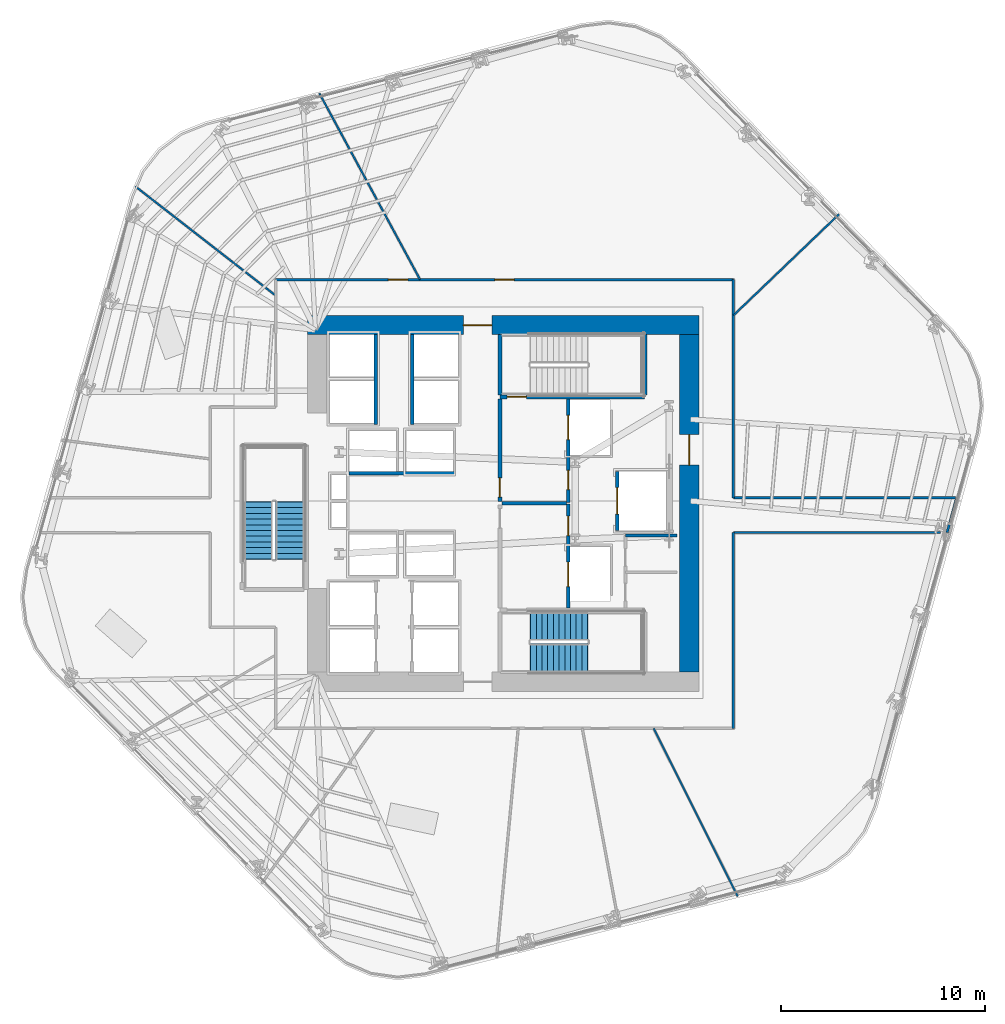
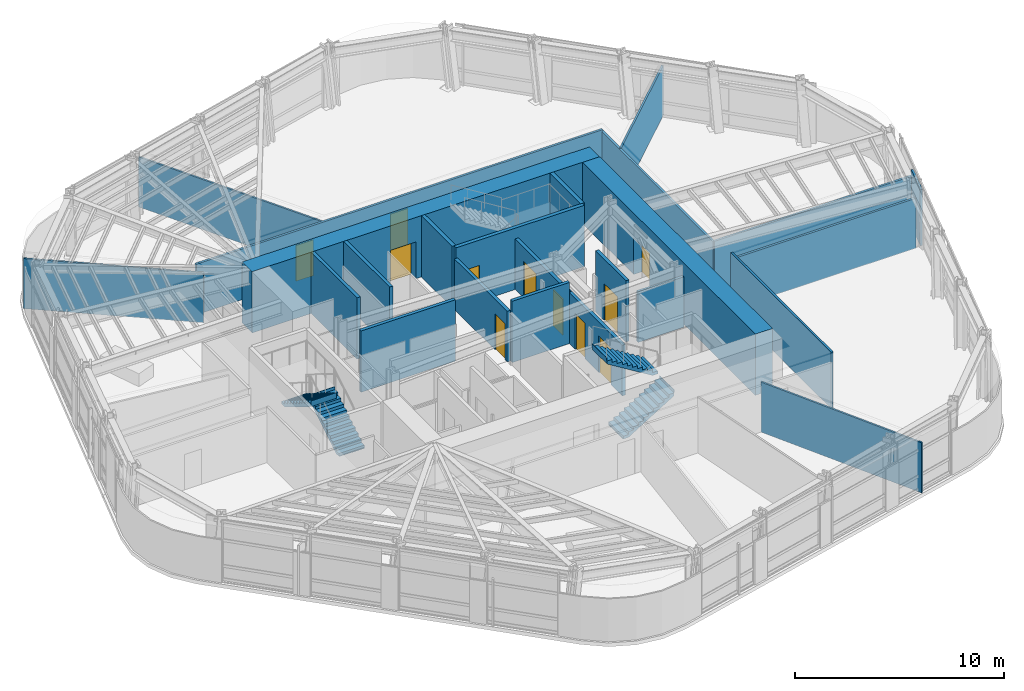
# One storey, part 10 of 17: 24 walls, 11 doors, 4 stair flights, 11 openings, 2 elements without a shape of their own.
"""IFC4 building model written with IfcOpenShell, lengths in metres."""

from ifc_helpers import new_model, si_unit, direction, frame, frame_2d, origin, place, context, subcontext, project, spatial, polyline, rectangle, outline, extrude, material, layer, layer_set, type_object, element, fill, aggregate, save


model = new_model("IFC4")

# Units and contexts
model_context = context("Model", 3, precision=1e-05, world=origin(), true_north=direction((0.0, 1.0)))
body_context = subcontext(model_context, "Body", "Model", "MODEL_VIEW")
ifc_project = project(units=[si_unit("LENGTHUNIT", "METRE"), si_unit("AREAUNIT", "SQUARE_METRE"), si_unit("VOLUMEUNIT", "CUBIC_METRE"), si_unit("PLANEANGLEUNIT", "RADIAN"), si_unit("MASSUNIT", "GRAM", prefix="KILO")], contexts=[model_context])

# Site, building, storey
site_placement = place(None, origin())
site = spatial("IfcSite", under=ifc_project, at=site_placement, CompositionType="ELEMENT")
building_placement = place(site_placement, origin())
building = spatial("IfcBuilding", under=site, at=building_placement, Name="Valkerne Bourse Tower", CompositionType="ELEMENT")
storey_placement = place(building_placement, frame((0.0, 0.0, 85.800048828125)))
storey = spatial("IfcBuildingStorey", under=building, at=storey_placement, Name="L21", CompositionType="ELEMENT", Elevation=85.800048828125)

# Wall, opening, door
ifc_material_1 = material(Name="Concrete C70/85", Category="concrete")
ifc_layer_1 = layer(ifc_material_1, 0.949951171875)
ifc_layer_set_1 = layer_set([ifc_layer_1], Name="Concrete C70/85")
wall_type_1 = type_object("IfcWallType", Name="W-CORE-950", PredefinedType="SHEAR", material=ifc_layer_set_1)
wall_1_placement = place(storey_placement, frame((37.199951171875, 35.625, 0.0), z_axis=(0.0, 0.0, 1.0), x_axis=(1.0, 0.0, 0.0)))
wall_1 = element("IfcWall", 1, at=wall_1_placement, inside=storey, type_object=wall_type_1, Name="L21 Core Shear Wall NORTH", PredefinedType="SHEAR", context=body_context, shape_type="SweptSolid", body=[
    extrude(rectangle(XDim=19.199951171875, YDim=0.949951171875, at=frame_2d((9.60009765625, 0.0))), origin(), (0.0, 0.0, 1.0), 3.579833984375),
])
opening_1_placement = place(wall_1_placement, frame((7.64990234375, 0.0, 0.0)))
opening_1 = element("IfcOpeningElement", 2, at=opening_1_placement, cuts=wall_1, Name="Opening D-PL-1400", PredefinedType="OPENING", context=body_context, shape_type="SweptSolid", body=[
    extrude(rectangle(XDim=1.39990234375, YDim=2.14990234375, at=frame_2d((0.699951171875, 1.074951171875))), frame((0.0, 0.48486328125, 0.0), z_axis=(0.0, -1.0, 0.0), x_axis=(1.0, 0.0, 0.0)), (0.0, 0.0, 1.0), 0.969970703125),
])
ifc_material_2 = material(Name="Galvanised Painted Steel", Category="steel")
door_type_1 = type_object("IfcDoorType", Name="DR-PLT-1400", OperationType="DOUBLE_DOOR_SINGLE_SWING", PredefinedType="DOOR", material=ifc_material_2)
door_1_placement = place(opening_1_placement, origin())
door_1 = element("IfcDoor", 3, at=door_1_placement, inside=storey, type_object=door_type_1, Name="L21 North Passenger Lift Hall Fire Door", OperationType="DOUBLE_DOOR_SINGLE_SWING", OverallHeight=2.14990234375, OverallWidth=1.39990234375, PredefinedType="DOOR", context=body_context, shape_type="SweptSolid", body=[
    extrude(rectangle(XDim=1.39990234375, YDim=2.14990234375, at=frame_2d((0.699951171875, 1.074951171875))), frame((0.0, 0.02490234375, 0.0), z_axis=(0.0, -1.0, 0.0), x_axis=(1.0, 0.0, 0.0)), (0.0, 0.0, 1.0), 0.050048828125),
])
fill(opening_1, door_1)

wall_2_placement = place(storey_placement, frame((55.925048828125, 18.60009765625, 0.0), z_axis=(0.0, 0.0, 1.0), x_axis=(0.0, 1.0, 0.0)))
wall_2 = element("IfcWall", 4, at=wall_2_placement, inside=storey, type_object=wall_type_1, Name="L21 Core Shear Wall EAST", PredefinedType="SHEAR", context=body_context, shape_type="SweptSolid", body=[
    extrude(rectangle(XDim=16.5498046875, YDim=0.949951171875, at=frame_2d((8.27490234375, 0.0))), origin(), (0.0, 0.0, 1.0), 3.579833984375),
])
opening_2_placement = place(wall_2_placement, frame((10.14990234375, 0.0, 0.0)))
opening_2 = element("IfcOpeningElement", 5, at=opening_2_placement, cuts=wall_2, Name="Opening D-CR-1500", PredefinedType="OPENING", context=body_context, shape_type="SweptSolid", body=[
    extrude(rectangle(XDim=1.5, YDim=2.14990234375, at=frame_2d((0.75, 1.074951171875))), frame((0.0, 0.48486328125, 0.0), z_axis=(0.0, -1.0, 0.0), x_axis=(1.0, 0.0, 0.0)), (0.0, 0.0, 1.0), 0.969970703125),
])
door_type_2 = type_object("IfcDoorType", Name="DR-CORR-1500", OperationType="DOUBLE_DOOR_SINGLE_SWING", PredefinedType="DOOR", material=ifc_material_2)
door_2_placement = place(opening_2_placement, origin())
door_2 = element("IfcDoor", 6, at=door_2_placement, inside=storey, type_object=door_type_2, Name="L21 East Core Service Lobby Fire Door", OperationType="DOUBLE_DOOR_SINGLE_SWING", OverallHeight=2.14990234375, OverallWidth=1.5, PredefinedType="DOOR", context=body_context, shape_type="SweptSolid", body=[
    extrude(rectangle(XDim=1.5, YDim=2.14990234375, at=frame_2d((0.75, 1.074951171875))), frame((0.0, 0.02490234375, 0.0), z_axis=(0.0, -1.0, 0.0), x_axis=(1.0, 0.0, 0.0)), (0.0, 0.0, 1.0), 0.050048828125),
])
fill(opening_2, door_2)

# Walls
ifc_material_3 = material(Name="Gypsum Board Steel-Stud Partition", Category="steel")
ifc_layer_2 = layer(ifc_material_3, 0.117919921875)
ifc_layer_set_2 = layer_set([ifc_layer_2], Name="Gypsum Board Steel-Stud Partition")
wall_type_2 = type_object("IfcWallType", Name="W-CORR-140", PredefinedType="PARTITIONING", material=ifc_layer_set_2)
wall_3_placement = place(storey_placement, frame((58.10009765625, 27.14990234375, 0.0), z_axis=(0.0, 0.0, 1.0), x_axis=(1.0, 0.0, 0.0)))
element("IfcWall", 7, at=wall_3_placement, inside=storey, type_object=wall_type_2, Name="L21 Corridor Enclosure Wall", PredefinedType="PARTITIONING", context=body_context, shape_type="SweptSolid", body=[
    extrude(rectangle(XDim=10.899658203125, YDim=0.117919921875, at=frame_2d((5.44970703125, 0.0))), origin(), (0.0, 0.0, 1.0), 2.92236328125),
])
wall_4_placement = place(storey_placement, frame((69.03271484375, 27.106689453125, 0.0), z_axis=(0.0, 0.0, 1.0), x_axis=(-0.264740301643, -0.964319746083, 0.0)))
element("IfcWall", 8, at=wall_4_placement, inside=storey, type_object=wall_type_2, Name="L21 Corridor Enclosure Wall", PredefinedType="PARTITIONING", context=body_context, shape_type="SweptSolid", body=[
    extrude(rectangle(XDim=1.718017578125, YDim=0.117919921875, at=frame_2d((0.85888671875, 0.0))), origin(), (0.0, 0.0, 1.0), 3.280029296875),
])
wall_5_placement = place(storey_placement, frame((68.257080078125, 25.449951171875, 0.0), z_axis=(0.0, 0.0, 1.0), x_axis=(-1.0, 0.0, 0.0)))
element("IfcWall", 9, at=wall_5_placement, inside=storey, type_object=wall_type_2, Name="L21 Corridor Enclosure Wall", PredefinedType="PARTITIONING", context=body_context, shape_type="SweptSolid", body=[
    extrude(rectangle(XDim=10.156982421875, YDim=0.117919921875, at=frame_2d((5.07861328125, 0.0))), origin(), (0.0, 0.0, 1.0), 2.92236328125),
])
wall_6_placement = place(storey_placement, frame((58.10009765625, 25.449951171875, 0.0), z_axis=(0.0, 0.0, 1.0), x_axis=(0.0, -1.0, 0.0)))
element("IfcWall", 10, at=wall_6_placement, inside=storey, type_object=wall_type_2, Name="L21 Corridor Enclosure Wall", PredefinedType="PARTITIONING", context=body_context, shape_type="SweptSolid", body=[
    extrude(rectangle(XDim=9.599853515625, YDim=0.117919921875, at=frame_2d((4.7998046875, 0.0))), origin(), (0.0, 0.0, 1.0), 3.280029296875),
])

# Wall, openings, doors
wall_7_placement = place(storey_placement, frame((35.64990234375, 37.85009765625, 0.0), z_axis=(0.0, 0.0, 1.0), x_axis=(1.0, 0.0, 0.0)))
wall_7 = element("IfcWall", 11, at=wall_7_placement, inside=storey, type_object=wall_type_2, Name="L21 Corridor Enclosure Wall", PredefinedType="PARTITIONING", context=body_context, shape_type="SweptSolid", body=[
    extrude(rectangle(XDim=22.4501953125, YDim=0.117919921875, at=frame_2d((11.22509765625, 0.0))), origin(), (0.0, 0.0, 1.0), 2.962890625),
])
opening_3_placement = place(wall_7_placement, frame((5.530029296875, 0.0, 0.0)))
opening_3 = element("IfcOpeningElement", 12, at=opening_3_placement, cuts=wall_7, Name="Opening D-OF-950", PredefinedType="OPENING", context=body_context, shape_type="SweptSolid", body=[
    extrude(rectangle(XDim=0.949951171875, YDim=2.10009765625, at=frame_2d((0.47509765625, 1.050048828125))), frame((0.0, 0.06884765625, 0.0), z_axis=(0.0, -1.0, 0.0), x_axis=(1.0, 0.0, 0.0)), (0.0, 0.0, 1.0), 0.137939453125),
])
opening_4_placement = place(wall_7_placement, frame((10.75, 0.0, 0.0)))
opening_4 = element("IfcOpeningElement", 13, at=opening_4_placement, cuts=wall_7, Name="Opening D-OF-950", PredefinedType="OPENING", context=body_context, shape_type="SweptSolid", body=[
    extrude(rectangle(XDim=0.949951171875, YDim=2.10009765625, at=frame_2d((0.47509765625, 1.050048828125))), frame((0.0, 0.06884765625, 0.0), z_axis=(0.0, -1.0, 0.0), x_axis=(1.0, 0.0, 0.0)), (0.0, 0.0, 1.0), 0.137939453125),
])
ifc_material_4 = material(Name="Architectural White Oak Timber", Category="wood")
door_type_3 = type_object("IfcDoorType", Name="DR-OFF-950", OperationType="NOTDEFINED", PredefinedType="DOOR", material=ifc_material_4)
door_3_placement = place(opening_3_placement, origin())
door_3 = element("IfcDoor", 14, at=door_3_placement, inside=storey, type_object=door_type_3, Name="L21 L21 Hospitality Catering Kitchen 4 Door", OperationType="SINGLE_SWING_LEFT", OverallHeight=2.10009765625, OverallWidth=0.949951171875, PredefinedType="DOOR", context=body_context, shape_type="SweptSolid", body=[
    extrude(rectangle(XDim=0.949951171875, YDim=2.10009765625, at=frame_2d((0.47509765625, 1.050048828125))), frame((0.0, 0.02490234375, 0.0), z_axis=(0.0, -1.0, 0.0), x_axis=(1.0, 0.0, 0.0)), (0.0, 0.0, 1.0), 0.050048828125),
])
fill(opening_3, door_3)
door_4_placement = place(opening_4_placement, origin())
door_4 = element("IfcDoor", 15, at=door_4_placement, inside=storey, type_object=door_type_3, Name="L21 L21 Occupational Wellness Clinic 8 Door", OperationType="SINGLE_SWING_LEFT", OverallHeight=2.10009765625, OverallWidth=0.949951171875, PredefinedType="DOOR", context=body_context, shape_type="SweptSolid", body=[
    extrude(rectangle(XDim=0.949951171875, YDim=2.10009765625, at=frame_2d((0.47509765625, 1.050048828125))), frame((0.0, 0.02490234375, 0.0), z_axis=(0.0, -1.0, 0.0), x_axis=(1.0, 0.0, 0.0)), (0.0, 0.0, 1.0), 0.050048828125),
])
fill(opening_4, door_4)

# Walls
wall_8_placement = place(storey_placement, frame((58.10009765625, 37.85009765625, 0.0), z_axis=(0.0, 0.0, 1.0), x_axis=(0.0, -1.0, 0.0)))
element("IfcWall", 16, at=wall_8_placement, inside=storey, type_object=wall_type_2, Name="L21 Corridor Enclosure Wall", PredefinedType="PARTITIONING", context=body_context, shape_type="SweptSolid", body=[
    extrude(rectangle(XDim=10.7001953125, YDim=0.117919921875, at=frame_2d((5.35009765625, 0.0))), origin(), (0.0, 0.0, 1.0), 2.87646484375),
])
ifc_material_5 = material(Name="Gypsum Fire-Rated Shaftwall", Category="gypsum")
ifc_layer_3 = layer(ifc_material_5, 0.179931640625)
ifc_layer_set_3 = layer_set([ifc_layer_3], Name="Gypsum Fire-Rated Shaftwall")
wall_type_3 = type_object("IfcWallType", Name="W-FSAE-180", PredefinedType="PARTITIONING", material=ifc_layer_set_3)
wall_9_placement = place(storey_placement, frame((46.739990234375, 26.8798828125, 0.0), z_axis=(0.0, 0.0, 1.0), x_axis=(1.0, 0.0, 0.0)))
element("IfcWall", 17, at=wall_9_placement, inside=storey, type_object=wall_type_3, Name="L21 FSAE-1/2 Lobby Dividing Fire Wall", PredefinedType="PARTITIONING", context=body_context, shape_type="SweptSolid", body=[
    extrude(rectangle(XDim=3.169921875, YDim=0.179931640625, at=frame_2d((1.5849609375, 0.0))), origin(), (0.0, 0.0, 1.0), 3.579833984375),
])

# Wall, opening, door
wall_10_placement = place(storey_placement, frame((46.64990234375, 26.9599609375, 0.0), z_axis=(0.0, 0.0, 1.0), x_axis=(0.0, 1.0, 0.0)))
wall_10 = element("IfcWall", 18, at=wall_10_placement, inside=storey, type_object=wall_type_3, Name="L21 FSAE-2 Lobby West Fire Wall", PredefinedType="PARTITIONING", context=body_context, shape_type="SweptSolid", body=[
    extrude(rectangle(XDim=5.0400390625, YDim=0.179931640625, at=frame_2d((2.52001953125, 0.0))), origin(), (0.0, 0.0, 1.0), 2.957763671875),
])
opening_5_placement = place(wall_10_placement, frame((0.219970703125, 0.0, 0.0)))
opening_5 = element("IfcOpeningElement", 19, at=opening_5_placement, cuts=wall_10, Name="Opening D-FS-950", PredefinedType="OPENING", context=body_context, shape_type="SweptSolid", body=[
    extrude(rectangle(XDim=0.949951171875, YDim=2.10009765625, at=frame_2d((0.47509765625, 1.050048828125))), frame((0.0, 0.099853515625, 0.0), z_axis=(0.0, -1.0, 0.0), x_axis=(1.0, 0.0, 0.0)), (0.0, 0.0, 1.0), 0.199951171875),
])
door_type_4 = type_object("IfcDoorType", Name="DR-FSAE-950", OperationType="NOTDEFINED", PredefinedType="DOOR", material=ifc_material_2)
door_5_placement = place(opening_5_placement, origin())
door_5 = element("IfcDoor", 20, at=door_5_placement, inside=storey, type_object=door_type_4, Name="L21 FSAE-2 Hall Link Fire Door", OperationType="SINGLE_SWING_RIGHT", OverallHeight=2.10009765625, OverallWidth=0.949951171875, PredefinedType="DOOR", context=body_context, shape_type="SweptSolid", body=[
    extrude(rectangle(XDim=0.949951171875, YDim=2.10009765625, at=frame_2d((0.47509765625, 1.050048828125))), frame((0.0, 0.02490234375, 0.0), z_axis=(0.0, -1.0, 0.0), x_axis=(1.0, 0.0, 0.0)), (0.0, 0.0, 1.0), 0.050048828125),
])
fill(opening_5, door_5)

# Wall, openings, doors
wall_11_placement = place(storey_placement, frame((50.0, 21.75, 0.0), z_axis=(0.0, 0.0, 1.0), x_axis=(0.0, 1.0, 0.0)))
wall_11 = element("IfcWall", 21, at=wall_11_placement, inside=storey, type_object=wall_type_3, Name="L21 FSAE-1 Lobby & Shaft Front Wall", PredefinedType="PARTITIONING", context=body_context, shape_type="SweptSolid", body=[
    extrude(rectangle(XDim=5.090087890625, YDim=0.179931640625, at=frame_2d((2.544921875, 0.0))), origin(), (0.0, 0.0, 1.0), 2.957763671875),
])
opening_6_placement = place(wall_11_placement, frame((1.050048828125, 0.0, 0.0)))
opening_6 = element("IfcOpeningElement", 22, at=opening_6_placement, cuts=wall_11, Name="Opening LD-1200", PredefinedType="OPENING", context=body_context, shape_type="SweptSolid", body=[
    extrude(rectangle(XDim=1.199951171875, YDim=2.14990234375, at=frame_2d((0.60009765625, 1.074951171875))), frame((0.0, 0.099853515625, 0.0), z_axis=(0.0, -1.0, 0.0), x_axis=(1.0, 0.0, 0.0)), (0.0, 0.0, 1.0), 0.199951171875),
])
opening_7_placement = place(wall_11_placement, frame((3.550048828125, 0.0, 0.0)))
opening_7 = element("IfcOpeningElement", 23, at=opening_7_placement, cuts=wall_11, Name="Opening D-FS-950", PredefinedType="OPENING", context=body_context, shape_type="SweptSolid", body=[
    extrude(rectangle(XDim=0.949951171875, YDim=2.10009765625, at=frame_2d((0.47509765625, 1.050048828125))), frame((0.0, 0.099853515625, 0.0), z_axis=(0.0, -1.0, 0.0), x_axis=(1.0, 0.0, 0.0)), (0.0, 0.0, 1.0), 0.199951171875),
])
door_6_placement = place(opening_7_placement, origin())
door_6 = element("IfcDoor", 24, at=door_6_placement, inside=storey, type_object=door_type_4, Name="L21 FSAE-1 Lobby Corridor Fire Door", OperationType="SINGLE_SWING_RIGHT", OverallHeight=2.10009765625, OverallWidth=0.949951171875, PredefinedType="DOOR", context=body_context, shape_type="SweptSolid", body=[
    extrude(rectangle(XDim=0.949951171875, YDim=2.10009765625, at=frame_2d((0.47509765625, 1.050048828125))), frame((0.0, 0.02490234375, 0.0), z_axis=(0.0, -1.0, 0.0), x_axis=(1.0, 0.0, 0.0)), (0.0, 0.0, 1.0), 0.050048828125),
])
fill(opening_7, door_6)
ifc_material_6 = material(Name="Stainless Steel AISI 316", Category="steel")
door_type_5 = type_object("IfcDoorType", Name="DR-LIFT-1200", OperationType="DOUBLE_DOOR_SLIDING", PredefinedType="DOOR", material=ifc_material_6)
door_7_placement = place(opening_6_placement, origin())
door_7 = element("IfcDoor", 25, at=door_7_placement, inside=storey, type_object=door_type_5, Name="L21 FSAE-1 Firefighting Lift Landing Door", OperationType="DOUBLE_DOOR_SLIDING", OverallHeight=2.14990234375, OverallWidth=1.199951171875, PredefinedType="DOOR", context=body_context, shape_type="SweptSolid", body=[
    extrude(rectangle(XDim=1.199951171875, YDim=2.14990234375, at=frame_2d((0.60009765625, 1.074951171875))), frame((0.0, 0.02490234375, 0.0), z_axis=(0.0, -1.0, 0.0), x_axis=(1.0, 0.0, 0.0)), (0.0, 0.0, 1.0), 0.050048828125),
])
fill(opening_6, door_7)

wall_12_placement = place(storey_placement, frame((50.0, 26.919921875, 0.0), z_axis=(0.0, 0.0, 1.0), x_axis=(0.0, 1.0, 0.0)))
wall_12 = element("IfcWall", 26, at=wall_12_placement, inside=storey, type_object=wall_type_3, Name="L21 FSAE-2 Lobby & Shaft Front Wall", PredefinedType="PARTITIONING", context=body_context, shape_type="SweptSolid", body=[
    extrude(rectangle(XDim=5.080078125, YDim=0.179931640625, at=frame_2d((2.5400390625, 0.0))), origin(), (0.0, 0.0, 1.0), 2.957763671875),
])
opening_8_placement = place(wall_12_placement, frame((3.080078125, 0.0, 0.0)))
opening_8 = element("IfcOpeningElement", 27, at=opening_8_placement, cuts=wall_12, Name="Opening LD-1200", PredefinedType="OPENING", context=body_context, shape_type="SweptSolid", body=[
    extrude(rectangle(XDim=1.199951171875, YDim=2.14990234375, at=frame_2d((0.60009765625, 1.074951171875))), frame((0.0, 0.099853515625, 0.0), z_axis=(0.0, -1.0, 0.0), x_axis=(1.0, 0.0, 0.0)), (0.0, 0.0, 1.0), 0.199951171875),
])
opening_9_placement = place(wall_12_placement, frame((0.6298828125, 0.0, 0.0)))
opening_9 = element("IfcOpeningElement", 28, at=opening_9_placement, cuts=wall_12, Name="Opening D-FS-950", PredefinedType="OPENING", context=body_context, shape_type="SweptSolid", body=[
    extrude(rectangle(XDim=0.949951171875, YDim=2.10009765625, at=frame_2d((0.47509765625, 1.050048828125))), frame((0.0, 0.099853515625, 0.0), z_axis=(0.0, -1.0, 0.0), x_axis=(1.0, 0.0, 0.0)), (0.0, 0.0, 1.0), 0.199951171875),
])
door_8_placement = place(opening_9_placement, origin())
door_8 = element("IfcDoor", 29, at=door_8_placement, inside=storey, type_object=door_type_4, Name="L21 FSAE-2 Lobby Corridor Fire Door", OperationType="SINGLE_SWING_RIGHT", OverallHeight=2.10009765625, OverallWidth=0.949951171875, PredefinedType="DOOR", context=body_context, shape_type="SweptSolid", body=[
    extrude(rectangle(XDim=0.949951171875, YDim=2.10009765625, at=frame_2d((0.47509765625, 1.050048828125))), frame((0.0, 0.02490234375, 0.0), z_axis=(0.0, -1.0, 0.0), x_axis=(1.0, 0.0, 0.0)), (0.0, 0.0, 1.0), 0.050048828125),
])
fill(opening_9, door_8)
door_9_placement = place(opening_8_placement, origin())
door_9 = element("IfcDoor", 30, at=door_9_placement, inside=storey, type_object=door_type_5, Name="L21 FSAE-2 Firefighting Lift Landing Door", OperationType="DOUBLE_DOOR_SLIDING", OverallHeight=2.14990234375, OverallWidth=1.199951171875, PredefinedType="DOOR", context=body_context, shape_type="SweptSolid", body=[
    extrude(rectangle(XDim=1.199951171875, YDim=2.14990234375, at=frame_2d((0.60009765625, 1.074951171875))), frame((0.0, 0.02490234375, 0.0), z_axis=(0.0, -1.0, 0.0), x_axis=(1.0, 0.0, 0.0)), (0.0, 0.0, 1.0), 0.050048828125),
])
fill(opening_8, door_9)

# Wall, opening, door
ifc_material_7 = material(Name="CMU Blockwork Masonry 200mm", Category="masonry")
ifc_layer_4 = layer(ifc_material_7, 0.179931640625)
ifc_layer_set_4 = layer_set([ifc_layer_4], Name="CMU Blockwork Masonry 200mm")
wall_type_4 = type_object("IfcWallType", Name="W-LFT-180", PredefinedType="SOLIDWALL", material=ifc_layer_set_4)
wall_13_placement = place(storey_placement, frame((52.39990234375, 25.550048828125, 0.0), z_axis=(0.0, 0.0, 1.0), x_axis=(0.0, 1.0, 0.0)))
wall_13 = element("IfcWall", 31, at=wall_13_placement, inside=storey, type_object=wall_type_4, Name="L21 Service Lift SV-1 Front Wall", PredefinedType="SOLIDWALL", context=body_context, shape_type="SweptSolid", body=[
    extrude(rectangle(XDim=2.89990234375, YDim=0.179931640625, at=frame_2d((1.449951171875, 0.0))), origin(), (0.0, 0.0, 1.0), 3.579833984375),
])
opening_10_placement = place(wall_13_placement, frame((0.800048828125, 0.0, 0.0)))
opening_10 = element("IfcOpeningElement", 32, at=opening_10_placement, cuts=wall_13, Name="Opening LD-1300", PredefinedType="OPENING", context=body_context, shape_type="SweptSolid", body=[
    extrude(rectangle(XDim=1.300048828125, YDim=2.14990234375, at=frame_2d((0.64990234375, 1.074951171875))), frame((0.0, 0.099853515625, 0.0), z_axis=(0.0, -1.0, 0.0), x_axis=(1.0, 0.0, 0.0)), (0.0, 0.0, 1.0), 0.199951171875),
])
door_type_6 = type_object("IfcDoorType", Name="DR-LIFT-1300", OperationType="DOUBLE_DOOR_SLIDING", PredefinedType="DOOR", material=ifc_material_6)
door_10_placement = place(opening_10_placement, origin())
door_10 = element("IfcDoor", 33, at=door_10_placement, inside=storey, type_object=door_type_6, Name="L21 Service Lift SV-1 Landing Door", OperationType="DOUBLE_DOOR_SLIDING", OverallHeight=2.14990234375, OverallWidth=1.300048828125, PredefinedType="DOOR", context=body_context, shape_type="SweptSolid", body=[
    extrude(rectangle(XDim=1.300048828125, YDim=2.14990234375, at=frame_2d((0.64990234375, 1.074951171875))), frame((0.0, 0.02490234375, 0.0), z_axis=(0.0, -1.0, 0.0), x_axis=(1.0, 0.0, 0.0)), (0.0, 0.0, 1.0), 0.050048828125),
])
fill(opening_10, door_10)

# Walls
for number, where, z_axis, x_axis, name in (
    (34, (40.550048828125, 30.75, 0.0), (0.0, 0.0, 1.0), (0.0, 1.0, 0.0), "L21 Mid-Zone West Cars Front Wall"),
    (35, (42.35009765625, 30.75, 0.0), (0.0, 0.0, 1.0), (0.0, 1.0, 0.0), "L21 Mid-Zone East Cars Front Wall"),
):
    element("IfcWall", number, at=place(storey_placement, frame(where, z_axis=z_axis, x_axis=x_axis)), inside=storey, type_object=wall_type_4, Name=name, PredefinedType="SOLIDWALL", context=body_context, shape_type="SweptSolid", body=[
        extrude(rectangle(XDim=4.39990234375, YDim=0.179931640625, at=frame_2d((2.199951171875, 0.0))), origin(), (0.0, 0.0, 1.0), 3.579833984375),
    ])
wall_14_placement = place(storey_placement, frame((39.25, 28.35009765625, 0.0), z_axis=(0.0, 0.0, 1.0), x_axis=(1.0, 0.0, 0.0)))
element("IfcWall", 36, at=wall_14_placement, inside=storey, type_object=wall_type_4, Name="L21 High-Zone North Cars Front Wall", PredefinedType="SOLIDWALL", context=body_context, shape_type="SweptSolid", body=[
    extrude(rectangle(XDim=5.199951171875, YDim=0.179931640625, at=frame_2d((2.60009765625, 0.0))), origin(), (0.0, 0.0, 1.0), 3.579833984375),
])
ifc_layer_5 = layer(ifc_material_3, 0.092041015625)
ifc_layer_set_5 = layer_set([ifc_layer_5], Name="Gypsum Board Steel-Stud Partition")
wall_type_5 = type_object("IfcWallType", Name="W-PART-115", PredefinedType="PARTITIONING", material=ifc_layer_set_5)
wall_15_placement = place(storey_placement, frame((54.18603515625, 15.844970703125, 0.0), z_axis=(0.0, 0.0, 1.0), x_axis=(0.447764605511, -0.894151473774, 0.0)))
element("IfcWall", 37, at=wall_15_placement, inside=storey, type_object=wall_type_5, Name="L21 Suite Partition P03", PredefinedType="PARTITIONING", context=body_context, shape_type="SweptSolid", body=[
    extrude(rectangle(XDim=9.214599609375, YDim=0.092041015625, at=frame_2d((4.607421875, 0.0))), origin(), (0.0, 0.0, 1.0), 2.92236328125),
])
wall_16_placement = place(storey_placement, frame((58.10498046875, 36.103759765625, 0.0), z_axis=(0.0, 0.0, 1.0), x_axis=(0.722200132273, 0.691684154036, 0.0)))
element("IfcWall", 38, at=wall_16_placement, inside=storey, type_object=wall_type_5, Name="L21 Suite Partition P04", PredefinedType="PARTITIONING", context=body_context, shape_type="SweptSolid", body=[
    extrude(rectangle(XDim=7.16845703125, YDim=0.092041015625, at=frame_2d((3.584228515625, 0.0))), origin(), (0.0, 0.0, 1.0), 2.92236328125),
])
wall_17_placement = place(storey_placement, frame((42.7314453125, 37.85498046875, 0.0), z_axis=(0.0, 0.0, 1.0), x_axis=(-0.475583396796, 0.879670638758, 0.0)))
element("IfcWall", 39, at=wall_17_placement, inside=storey, type_object=wall_type_5, Name="L21 Suite Partition P05", PredefinedType="PARTITIONING", context=body_context, shape_type="SweptSolid", body=[
    extrude(rectangle(XDim=10.3876953125, YDim=0.092041015625, at=frame_2d((5.19384765625, 0.0))), origin(), (0.0, 0.0, 1.0), 2.92236328125),
])
wall_18_placement = place(storey_placement, frame((35.64501953125, 37.07568359375, 0.0), z_axis=(0.0, 0.0, 1.0), x_axis=(-0.789368820398, 0.613919266177, 0.0)))
element("IfcWall", 40, at=wall_18_placement, inside=storey, type_object=wall_type_5, Name="L21 Suite Partition P06", PredefinedType="PARTITIONING", context=body_context, shape_type="SweptSolid", body=[
    extrude(rectangle(XDim=8.70947265625, YDim=0.092041015625, at=frame_2d((4.354736328125, 0.0))), origin(), (0.0, 0.0, 1.0), 2.92236328125),
])

# Wall, opening, door
ifc_material_8 = material(Name="Concrete C40/50", Category="concrete")
ifc_layer_6 = layer(ifc_material_8, 0.199951171875)
ifc_layer_set_6 = layer_set([ifc_layer_6], Name="Concrete C40/50")
wall_type_6 = type_object("IfcWallType", Name="W-SHF-200", PredefinedType="SHEAR", material=ifc_layer_set_6)
wall_19_placement = place(storey_placement, frame((46.64990234375, 32.10009765625, 0.0), z_axis=(0.0, 0.0, 1.0), x_axis=(1.0, 0.0, 0.0)))
wall_19 = element("IfcWall", 41, at=wall_19_placement, inside=storey, type_object=wall_type_6, Name="L21 Exit Stair ST-2 Structural Shaft Wall South", PredefinedType="SHEAR", context=body_context, shape_type="SweptSolid", body=[
    extrude(rectangle(XDim=7.10009765625, YDim=0.199951171875, at=frame_2d((3.550048828125, 0.0))), origin(), (0.0, 0.0, 1.0), 3.579833984375),
])
opening_11_placement = place(wall_19_placement, frame((0.35009765625, 0.0, 0.0)))
opening_11 = element("IfcOpeningElement", 42, at=opening_11_placement, cuts=wall_19, Name="Opening D-ST-950", PredefinedType="OPENING", context=body_context, shape_type="SweptSolid", body=[
    extrude(rectangle(XDim=0.949951171875, YDim=2.10009765625, at=frame_2d((0.47509765625, 1.050048828125))), frame((0.0, 0.10986328125, 0.0), z_axis=(0.0, -1.0, 0.0), x_axis=(1.0, 0.0, 0.0)), (0.0, 0.0, 1.0), 0.219970703125),
])
door_type_7 = type_object("IfcDoorType", Name="DR-STAIR-950", OperationType="NOTDEFINED", PredefinedType="DOOR", material=ifc_material_2)
door_11_placement = place(opening_11_placement, origin())
door_11 = element("IfcDoor", 43, at=door_11_placement, inside=storey, type_object=door_type_7, Name="L21 Exit Stair ST-2 Door", OperationType="SINGLE_SWING_LEFT", OverallHeight=2.10009765625, OverallWidth=0.949951171875, PredefinedType="DOOR", context=body_context, shape_type="SweptSolid", body=[
    extrude(rectangle(XDim=0.949951171875, YDim=2.10009765625, at=frame_2d((0.47509765625, 1.050048828125))), frame((0.0, 0.02490234375, 0.0), z_axis=(0.0, -1.0, 0.0), x_axis=(1.0, 0.0, 0.0)), (0.0, 0.0, 1.0), 0.050048828125),
])
fill(opening_11, door_11)

# Walls
for number, where, z_axis, x_axis, name in (
    (44, (46.64990234375, 32.199951171875, 0.0), (0.0, 0.0, 1.0), (0.0, 1.0, 0.0), "L21 Exit Stair ST-2 Structural Shaft Wall West"),
    (45, (53.75, 32.199951171875, 0.0), (0.0, 0.0, 1.0), (0.0, 1.0, 0.0), "L21 Exit Stair ST-2 Structural Shaft Wall East"),
):
    element("IfcWall", number, at=place(storey_placement, frame(where, z_axis=z_axis, x_axis=x_axis)), inside=storey, type_object=wall_type_6, Name=name, PredefinedType="SHEAR", context=body_context, shape_type="SweptSolid", body=[
        extrude(rectangle(XDim=2.949951171875, YDim=0.199951171875, at=frame_2d((1.47509765625, 0.0))), origin(), (0.0, 0.0, 1.0), 3.579833984375),
    ])
ifc_material_9 = material(Name="Moisture-Resistant Gypsum Partition", Category="gypsum")
ifc_layer_7 = layer(ifc_material_9, 0.139892578125)
ifc_layer_set_7 = layer_set([ifc_layer_7], Name="Moisture-Resistant Gypsum Partition")
wall_type_7 = type_object("IfcWallType", Name="W-WET-140", PredefinedType="PARTITIONING", material=ifc_layer_set_7)
wall_20_placement = place(storey_placement, frame((52.800048828125, 25.300048828125, 0.0), z_axis=(0.0, 0.0, 1.0), x_axis=(1.0, 0.0, 0.0)))
element("IfcWall", 46, at=wall_20_placement, inside=storey, type_object=wall_type_7, Name="L21 Core SE Dual North Wall", PredefinedType="PARTITIONING", context=body_context, shape_type="SweptSolid", body=[
    extrude(rectangle(XDim=2.52001953125, YDim=0.139892578125, at=frame_2d((1.260009765625, 0.0))), origin(), (0.0, 0.0, 1.0), 2.957763671875),
])

# Stair, stair flights
stair_type = type_object("IfcStairType", Name="ST-CORE-1400", PredefinedType="HALF_TURN_STAIR", material=ifc_material_8)
stair_1_placement = place(storey_placement, origin())
stair_1 = element("IfcStair", 47, at=stair_1_placement, inside=storey, type_object=stair_type, Name="L21 ST-1", PredefinedType="HALF_TURN_STAIR")
stair_flight_type = type_object("IfcStairFlightType", Name="STF-CORE-1400", PredefinedType="STRAIGHT", material=ifc_material_8)
stair_flight_1_placement = place(storey_placement, frame((48.14990234375, 19.300048828125, 0.0), z_axis=(0.0, 0.0, 1.0), x_axis=(1.0, 0.0, 0.0)))
stair_flight_1 = element("IfcStairFlight", 48, at=stair_flight_1_placement, type_object=stair_flight_type, Name="ST-1 flight 1", NumberOfRisers=11, NumberOfTreads=10, PredefinedType="STRAIGHT", RiserHeight=0.172727273, TreadLength=0.28, context=body_context, shape_type="SweptSolid", body=[
    extrude(outline(polyline([(-0.02001953125, 0.0), (-0.02001953125, 0.044921875), (0.0, 0.044921875), (0.0, 0.172607421875), (0.280029296875, 0.172607421875), (0.280029296875, 0.345458984375), (0.56005859375, 0.345458984375), (0.56005859375, 0.51806640625), (0.840087890625, 0.51806640625), (0.840087890625, 0.69091796875), (1.1201171875, 0.69091796875), (1.1201171875, 0.863525390625), (1.39990234375, 0.863525390625), (1.39990234375, 1.036376953125), (1.679931640625, 1.036376953125), (1.679931640625, 1.208984375), (1.9599609375, 1.208984375), (1.9599609375, 1.3818359375), (2.239990234375, 1.3818359375), (2.239990234375, 1.554443359375), (2.52001953125, 1.554443359375), (2.52001953125, 1.727294921875), (2.800048828125, 1.727294921875), (2.800048828125, 1.89990234375), (2.820068359375, 1.89990234375), (2.820068359375, 1.780029296875), (2.800048828125, 1.551025390625), (0.285400390625, 0.0), (-0.02001953125, 0.0)])), frame((0.0, 0.699951171875, 0.0), z_axis=(0.0, -1.0, 0.0), x_axis=(1.0, 0.0, 0.0)), (0.0, 0.0, 1.0), 1.39990234375),
])
stair_flight_2_placement = place(storey_placement, frame((50.949951171875, 20.85009765625, 1.89990234375), z_axis=(0.0, 0.0, 1.0), x_axis=(-1.0, 0.0, 0.0)))
stair_flight_2 = element("IfcStairFlight", 49, at=stair_flight_2_placement, type_object=stair_flight_type, Name="ST-1 flight 2", NumberOfRisers=11, NumberOfTreads=10, PredefinedType="STRAIGHT", RiserHeight=0.172727273, TreadLength=0.28, context=body_context, shape_type="SweptSolid", body=[
    extrude(outline(polyline([(-0.02001953125, 0.0), (-0.02001953125, 0.044921875), (0.0, 0.044921875), (0.0, 0.172607421875), (0.280029296875, 0.172607421875), (0.280029296875, 0.345458984375), (0.56005859375, 0.345458984375), (0.56005859375, 0.51806640625), (0.840087890625, 0.51806640625), (0.840087890625, 0.69091796875), (1.1201171875, 0.69091796875), (1.1201171875, 0.863525390625), (1.39990234375, 0.863525390625), (1.39990234375, 1.036376953125), (1.679931640625, 1.036376953125), (1.679931640625, 1.208984375), (1.9599609375, 1.208984375), (1.9599609375, 1.3818359375), (2.239990234375, 1.3818359375), (2.239990234375, 1.554443359375), (2.52001953125, 1.554443359375), (2.52001953125, 1.727294921875), (2.800048828125, 1.727294921875), (2.800048828125, 1.89990234375), (2.820068359375, 1.89990234375), (2.820068359375, 1.780029296875), (2.800048828125, 1.551025390625), (0.285400390625, 0.0), (-0.02001953125, 0.0)])), frame((0.0, 0.699951171875, 0.0), z_axis=(0.0, -1.0, 0.0), x_axis=(1.0, 0.0, 0.0)), (0.0, 0.0, 1.0), 1.39990234375),
])
aggregate(stair_1, [stair_flight_1, stair_flight_2])

stair_2_placement = place(storey_placement, origin())
stair_2 = element("IfcStair", 50, at=stair_2_placement, inside=storey, type_object=stair_type, Name="L21 ST-3", PredefinedType="HALF_TURN_STAIR")
stair_flight_3_placement = place(storey_placement, frame((36.35009765625, 24.14990234375, 0.0), z_axis=(0.0, 0.0, 1.0), x_axis=(0.0, 1.0, 0.0)))
stair_flight_3 = element("IfcStairFlight", 51, at=stair_flight_3_placement, type_object=stair_flight_type, Name="ST-3 flight 1", NumberOfRisers=11, NumberOfTreads=10, PredefinedType="STRAIGHT", RiserHeight=0.172727273, TreadLength=0.28, context=body_context, shape_type="SweptSolid", body=[
    extrude(outline(polyline([(-0.02001953125, 0.0), (-0.02001953125, 0.044921875), (0.0, 0.044921875), (0.0, 0.172607421875), (0.280029296875, 0.172607421875), (0.280029296875, 0.345458984375), (0.56005859375, 0.345458984375), (0.56005859375, 0.51806640625), (0.840087890625, 0.51806640625), (0.840087890625, 0.69091796875), (1.1201171875, 0.69091796875), (1.1201171875, 0.863525390625), (1.39990234375, 0.863525390625), (1.39990234375, 1.036376953125), (1.679931640625, 1.036376953125), (1.679931640625, 1.208984375), (1.9599609375, 1.208984375), (1.9599609375, 1.3818359375), (2.239990234375, 1.3818359375), (2.239990234375, 1.554443359375), (2.52001953125, 1.554443359375), (2.52001953125, 1.727294921875), (2.800048828125, 1.727294921875), (2.800048828125, 1.89990234375), (2.820068359375, 1.89990234375), (2.820068359375, 1.780029296875), (2.800048828125, 1.551025390625), (0.285400390625, 0.0), (-0.02001953125, 0.0)])), frame((0.0, 0.699951171875, 0.0), z_axis=(0.0, -1.0, 0.0), x_axis=(1.0, 0.0, 0.0)), (0.0, 0.0, 1.0), 1.39990234375),
])
stair_flight_4_placement = place(storey_placement, frame((34.800048828125, 26.949951171875, 1.89990234375), z_axis=(0.0, 0.0, 1.0), x_axis=(0.0, -1.0, 0.0)))
stair_flight_4 = element("IfcStairFlight", 52, at=stair_flight_4_placement, type_object=stair_flight_type, Name="ST-3 flight 2", NumberOfRisers=11, NumberOfTreads=10, PredefinedType="STRAIGHT", RiserHeight=0.172727273, TreadLength=0.28, context=body_context, shape_type="SweptSolid", body=[
    extrude(outline(polyline([(-0.02001953125, 0.0), (-0.02001953125, 0.044921875), (0.0, 0.044921875), (0.0, 0.172607421875), (0.280029296875, 0.172607421875), (0.280029296875, 0.345458984375), (0.56005859375, 0.345458984375), (0.56005859375, 0.51806640625), (0.840087890625, 0.51806640625), (0.840087890625, 0.69091796875), (1.1201171875, 0.69091796875), (1.1201171875, 0.863525390625), (1.39990234375, 0.863525390625), (1.39990234375, 1.036376953125), (1.679931640625, 1.036376953125), (1.679931640625, 1.208984375), (1.9599609375, 1.208984375), (1.9599609375, 1.3818359375), (2.239990234375, 1.3818359375), (2.239990234375, 1.554443359375), (2.52001953125, 1.554443359375), (2.52001953125, 1.727294921875), (2.800048828125, 1.727294921875), (2.800048828125, 1.89990234375), (2.820068359375, 1.89990234375), (2.820068359375, 1.780029296875), (2.800048828125, 1.551025390625), (0.285400390625, 0.0), (-0.02001953125, 0.0)])), frame((0.0, 0.699951171875, 0.0), z_axis=(0.0, -1.0, 0.0), x_axis=(1.0, 0.0, 0.0)), (0.0, 0.0, 1.0), 1.39990234375),
])
aggregate(stair_2, [stair_flight_3, stair_flight_4])

save(model, "model.ifc")
